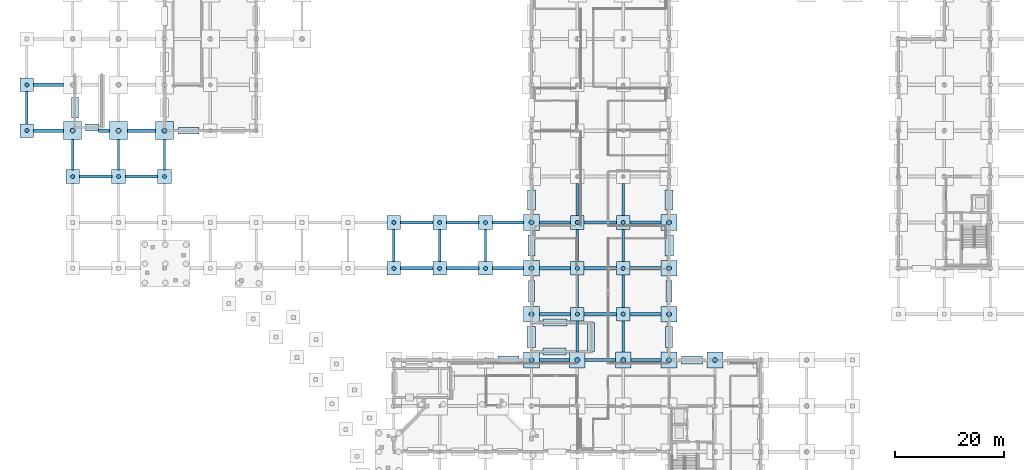
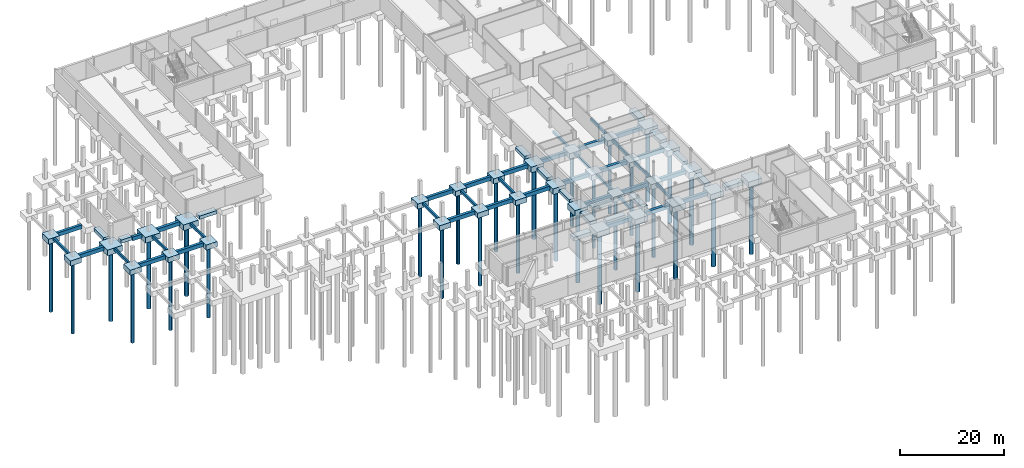
# One storey, part 3 of 43: 86 footings, 31 piles.
"""IFC4 building model written with IfcOpenShell, lengths in metres."""

from ifc_helpers import new_model, si_unit, direction, frame, origin, origin_2d, place, context, subcontext, project, spatial, rectangle, circle, extrude, material, layer, layer_set, material_profile, profile_set, type_object, element, save


model = new_model("IFC4")

# Units and contexts
model_context = context("Model", 3, precision=1e-05, world=origin(), true_north=direction((0.0, 1.0)))
body_context = subcontext(model_context, "Body", "Model", "MODEL_VIEW")
ifc_project = project(units=[si_unit("LENGTHUNIT", "METRE"), si_unit("AREAUNIT", "SQUARE_METRE"), si_unit("VOLUMEUNIT", "CUBIC_METRE"), si_unit("PLANEANGLEUNIT", "RADIAN"), si_unit("MASSUNIT", "GRAM", prefix="KILO")], contexts=[model_context])

# Site, building, storey
site_placement = place(None, origin())
site = spatial("IfcSite", under=ifc_project, at=site_placement, CompositionType="ELEMENT")
building_placement = place(site_placement, origin())
building = spatial("IfcBuilding", under=site, at=building_placement, Name="Mersafa Astral City Hall", CompositionType="ELEMENT")
storey_placement = place(building_placement, frame((0.0, 0.0, -4.5)))
storey = spatial("IfcBuildingStorey", under=building, at=storey_placement, Name="B1", CompositionType="ELEMENT", Elevation=-4.5)

# Footings
ifc_material = material(Name="Concrete C40/50", Category="concrete")
ifc_layer_1 = layer(ifc_material, 1.199951171875, Name="Concrete C40/50")
ifc_layer_set_1 = layer_set([ifc_layer_1], Name="Concrete C40/50 — STR-FTG-PC-2-250X250X1200")
footing_type_1 = type_object("IfcFootingType", Name="STR-FTG-PC-2-250X250X1200", PredefinedType="PILE_CAP", material=ifc_layer_set_1)
for number, where, z_axis, x_axis, name in (
    (1, (100.800048828125, 42.0, -1.2001953125), (0.0, 0.0, 1.0), (1.0, 0.0, 0.0), "Reinforced concrete pile cap 69"),
    (2, (109.199951171875, 42.0, -1.2001953125), (0.0, 0.0, 1.0), (1.0, 0.0, 0.0), "Reinforced concrete pile cap 70"),
    (3, (67.199951171875, 50.39990234375, -1.2001953125), (0.0, 0.0, 1.0), (1.0, 0.0, 0.0), "Reinforced concrete pile cap 89"),
    (4, (75.60009765625, 50.39990234375, -1.2001953125), (0.0, 0.0, 1.0), (1.0, 0.0, 0.0), "Reinforced concrete pile cap 90"),
    (5, (84.0, 50.39990234375, -1.2001953125), (0.0, 0.0, 1.0), (1.0, 0.0, 0.0), "Reinforced concrete pile cap 91"),
    (6, (100.800048828125, 50.39990234375, -1.2001953125), (0.0, 0.0, 1.0), (1.0, 0.0, 0.0), "Reinforced concrete pile cap 92"),
    (7, (109.199951171875, 50.39990234375, -1.2001953125), (0.0, 0.0, 1.0), (1.0, 0.0, 0.0), "Reinforced concrete pile cap 93"),
    (8, (67.199951171875, 58.800048828125, -1.2001953125), (0.0, 0.0, 1.0), (1.0, 0.0, 0.0), "Reinforced concrete pile cap 107"),
    (9, (75.60009765625, 58.800048828125, -1.2001953125), (0.0, 0.0, 1.0), (1.0, 0.0, 0.0), "Reinforced concrete pile cap 108"),
    (10, (84.0, 58.800048828125, -1.2001953125), (0.0, 0.0, 1.0), (1.0, 0.0, 0.0), "Reinforced concrete pile cap 109"),
    (11, (100.800048828125, 58.800048828125, -1.2001953125), (0.0, 0.0, 1.0), (1.0, 0.0, 0.0), "Reinforced concrete pile cap 110"),
    (12, (109.199951171875, 58.800048828125, -1.2001953125), (0.0, 0.0, 1.0), (1.0, 0.0, 0.0), "Reinforced concrete pile cap 111"),
    (13, (8.39990234375, 67.199951171875, -1.2001953125), (0.0, 0.0, 1.0), (1.0, 0.0, 0.0), "Reinforced concrete pile cap 118"),
    (14, (16.800048828125, 67.199951171875, -1.2001953125), (0.0, 0.0, 1.0), (1.0, 0.0, 0.0), "Reinforced concrete pile cap 119"),
    (15, (25.199951171875, 67.199951171875, -1.2001953125), (0.0, 0.0, 1.0), (1.0, 0.0, 0.0), "Reinforced concrete pile cap 120"),
    (16, (0.0, 75.60009765625, -1.2001953125), (0.0, 0.0, 1.0), (1.0, 0.0, 0.0), "Reinforced concrete pile cap 132"),
    (17, (0.0, 84.0, -1.2001953125), (0.0, 0.0, 1.0), (1.0, 0.0, 0.0), "Reinforced concrete pile cap 146"),
):
    element("IfcFooting", number, at=place(storey_placement, frame(where, z_axis=z_axis, x_axis=x_axis)), inside=storey, type_object=footing_type_1, Name=name, PredefinedType="PILE_CAP", context=body_context, shape_type="SweptSolid", body=[
        extrude(rectangle(XDim=2.5, YDim=2.5, at=origin_2d()), origin(), (0.0, 0.0, 1.0), 1.199951171875),
    ])
ifc_layer_2 = layer(ifc_material, 1.35009765625, Name="Concrete C40/50")
ifc_layer_set_2 = layer_set([ifc_layer_2], Name="Concrete C40/50 — STR-FTG-PC-3-290X290X1350")
footing_type_2 = type_object("IfcFootingType", Name="STR-FTG-PC-3-290X290X1350", PredefinedType="PILE_CAP", material=ifc_layer_set_2)
for number, where, z_axis, x_axis, name in (
    (18, (92.39990234375, 33.60009765625, -1.35009765625), (0.0, 0.0, 1.0), (1.0, 0.0, 0.0), "Reinforced concrete pile cap 54"),
    (19, (100.800048828125, 33.60009765625, -1.35009765625), (0.0, 0.0, 1.0), (1.0, 0.0, 0.0), "Reinforced concrete pile cap 55"),
    (20, (109.199951171875, 33.60009765625, -1.35009765625), (0.0, 0.0, 1.0), (1.0, 0.0, 0.0), "Reinforced concrete pile cap 56"),
    (21, (117.60009765625, 33.60009765625, -1.35009765625), (0.0, 0.0, 1.0), (1.0, 0.0, 0.0), "Reinforced concrete pile cap 57"),
    (22, (126.0, 33.60009765625, -1.35009765625), (0.0, 0.0, 1.0), (1.0, 0.0, 0.0), "Reinforced concrete pile cap 58"),
    (23, (92.39990234375, 42.0, -1.35009765625), (0.0, 0.0, 1.0), (1.0, 0.0, 0.0), "Reinforced concrete pile cap 67"),
    (24, (117.60009765625, 42.0, -1.35009765625), (0.0, 0.0, 1.0), (1.0, 0.0, 0.0), "Reinforced concrete pile cap 68"),
    (25, (92.39990234375, 50.39990234375, -1.35009765625), (0.0, 0.0, 1.0), (1.0, 0.0, 0.0), "Reinforced concrete pile cap 82"),
    (26, (117.60009765625, 50.39990234375, -1.35009765625), (0.0, 0.0, 1.0), (1.0, 0.0, 0.0), "Reinforced concrete pile cap 83"),
    (27, (92.39990234375, 58.800048828125, -1.35009765625), (0.0, 0.0, 1.0), (1.0, 0.0, 0.0), "Reinforced concrete pile cap 98"),
    (28, (117.60009765625, 58.800048828125, -1.35009765625), (0.0, 0.0, 1.0), (1.0, 0.0, 0.0), "Reinforced concrete pile cap 99"),
):
    element("IfcFooting", number, at=place(storey_placement, frame(where, z_axis=z_axis, x_axis=x_axis)), inside=storey, type_object=footing_type_2, Name=name, PredefinedType="PILE_CAP", context=body_context, shape_type="SweptSolid", body=[
        extrude(rectangle(XDim=2.89990234375, YDim=2.89990234375, at=origin_2d()), origin(), (0.0, 0.0, 1.0), 1.35009765625),
    ])
ifc_layer_3 = layer(ifc_material, 1.35009765625, Name="Concrete C40/50")
ifc_layer_set_3 = layer_set([ifc_layer_3], Name="Concrete C40/50 — STR-FTG-PC-7-330X330X1350")
footing_type_3 = type_object("IfcFootingType", Name="STR-FTG-PC-7-330X330X1350", PredefinedType="PILE_CAP", material=ifc_layer_set_3)
for number, where, z_axis, x_axis, name in (
    (29, (8.39990234375, 75.60009765625, -1.35009765625), (0.0, 0.0, 1.0), (1.0, 0.0, 0.0), "Reinforced concrete pile cap 124"),
    (30, (16.800048828125, 75.60009765625, -1.35009765625), (0.0, 0.0, 1.0), (1.0, 0.0, 0.0), "Reinforced concrete pile cap 125"),
    (31, (25.199951171875, 75.60009765625, -1.35009765625), (0.0, 0.0, 1.0), (1.0, 0.0, 0.0), "Reinforced concrete pile cap 126"),
):
    element("IfcFooting", number, at=place(storey_placement, frame(where, z_axis=z_axis, x_axis=x_axis)), inside=storey, type_object=footing_type_3, Name=name, PredefinedType="PILE_CAP", context=body_context, shape_type="SweptSolid", body=[
        extrude(rectangle(XDim=3.300048828125, YDim=3.300048828125, at=origin_2d()), origin(), (0.0, 0.0, 1.0), 1.35009765625),
    ])
ifc_layer_4 = layer(ifc_material, 0.75, Name="Concrete C40/50")
ifc_layer_set_4 = layer_set([ifc_layer_4], Name="Concrete C40/50 — STR-FTG-STRIP-1")
footing_type_4 = type_object("IfcFootingType", Name="STR-FTG-STRIP-1", PredefinedType="STRIP_FOOTING", material=ifc_layer_set_4)
for number, where, z_axis, x_axis, name in (
    (32, (92.39990234375, 46.199951171875, -0.75), (0.0, 0.0, 1.0), (0.0, 1.0, 0.0), "Retaining wall strip footing 4"),
    (33, (117.60009765625, 46.199951171875, -0.75), (0.0, 0.0, 1.0), (0.0, -1.0, 0.0), "Retaining wall strip footing 84"),
):
    element("IfcFooting", number, at=place(storey_placement, frame(where, z_axis=z_axis, x_axis=x_axis)), inside=storey, type_object=footing_type_4, Name=name, PredefinedType="STRIP_FOOTING", context=body_context, shape_type="SweptSolid", body=[
        extrude(rectangle(XDim=3.860107421875, YDim=1.10009765625, at=origin_2d()), origin(), (0.0, 0.0, 1.0), 0.75),
    ])
ifc_layer_5 = layer(ifc_material, 0.800048828125, Name="Concrete C40/50")
ifc_layer_set_5 = layer_set([ifc_layer_5], Name="Concrete C40/50 — STR-FTG-STRIP-2")
footing_type_5 = type_object("IfcFootingType", Name="STR-FTG-STRIP-2", PredefinedType="STRIP_FOOTING", material=ifc_layer_set_5)
for number, where, z_axis, x_axis, name in (
    (34, (92.39990234375, 54.60009765625, -0.7998046875), (0.0, 0.0, 1.0), (0.0, 1.0, 0.0), "Retaining wall strip footing 5"),
    (35, (29.60009765625, 75.60009765625, -0.7998046875), (0.0, 0.0, 1.0), (-1.0, 0.0, 0.0), "Retaining wall strip footing 25"),
    (36, (117.60009765625, 37.800048828125, -0.7998046875), (0.0, 0.0, 1.0), (0.0, -1.0, 0.0), "Retaining wall strip footing 85"),
):
    element("IfcFooting", number, at=place(storey_placement, frame(where, z_axis=z_axis, x_axis=x_axis)), inside=storey, type_object=footing_type_5, Name=name, PredefinedType="STRIP_FOOTING", context=body_context, shape_type="SweptSolid", body=[
        extrude(rectangle(XDim=3.860107421875, YDim=1.25, at=origin_2d()), origin(), (0.0, 0.0, 1.0), 0.800048828125),
    ])
footing_1_placement = place(storey_placement, frame((11.89501953125, 76.175048828125, -0.7998046875), z_axis=(0.0, 0.0, 1.0), x_axis=(1.0, 0.0, 0.0)))
element("IfcFooting", 37, at=footing_1_placement, inside=storey, type_object=footing_type_5, Name="Stair shaft K6 foundation strip footing 102", PredefinedType="STRIP_FOOTING", context=body_context, shape_type="SweptSolid", body=[
    extrude(rectangle(XDim=2.389892578125, YDim=1.25, at=origin_2d()), origin(), (0.0, 0.0, 1.0), 0.800048828125),
])
footing_2_placement = place(storey_placement, frame((8.804931640625, 79.800048828125, -0.7998046875), z_axis=(0.0, 0.0, 1.0), x_axis=(0.0, 1.0, 0.0)))
element("IfcFooting", 38, at=footing_2_placement, inside=storey, type_object=footing_type_5, Name="Stair shaft K6 foundation strip footing 103", PredefinedType="STRIP_FOOTING", context=body_context, shape_type="SweptSolid", body=[
    extrude(rectangle(XDim=3.800048828125, YDim=1.25, at=origin_2d()), origin(), (0.0, 0.0, 1.0), 0.800048828125),
])
footing_3_placement = place(storey_placement, frame((96.60009765625, 35.14501953125, -0.7998046875), z_axis=(0.0, 0.0, 1.0), x_axis=(1.0, 0.0, 0.0)))
element("IfcFooting", 39, at=footing_3_placement, inside=storey, type_object=footing_type_5, Name="Stair shaft K8 foundation strip footing 108", PredefinedType="STRIP_FOOTING", context=body_context, shape_type="SweptSolid", body=[
    extrude(rectangle(XDim=4.199951171875, YDim=1.25, at=origin_2d()), origin(), (0.0, 0.0, 1.0), 0.800048828125),
])
footing_4_placement = place(storey_placement, frame((103.324951171875, 37.800048828125, -0.7998046875), z_axis=(0.0, 0.0, 1.0), x_axis=(0.0, 1.0, 0.0)))
element("IfcFooting", 40, at=footing_4_placement, inside=storey, type_object=footing_type_5, Name="Stair shaft K8 foundation strip footing 109", PredefinedType="STRIP_FOOTING", context=body_context, shape_type="SweptSolid", body=[
    extrude(rectangle(XDim=5.31005859375, YDim=1.25, at=origin_2d()), origin(), (0.0, 0.0, 1.0), 0.800048828125),
])
footing_5_placement = place(storey_placement, frame((96.699951171875, 40.455078125, -0.7998046875), z_axis=(0.0, 0.0, 1.0), x_axis=(1.0, 0.0, 0.0)))
element("IfcFooting", 41, at=footing_5_placement, inside=storey, type_object=footing_type_5, Name="Stair shaft K8 foundation strip footing 110", PredefinedType="STRIP_FOOTING", context=body_context, shape_type="SweptSolid", body=[
    extrude(rectangle(XDim=4.39990234375, YDim=1.25, at=origin_2d()), origin(), (0.0, 0.0, 1.0), 0.800048828125),
])
ifc_layer_6 = layer(ifc_material, 0.85009765625, Name="Concrete C40/50")
ifc_layer_set_6 = layer_set([ifc_layer_6], Name="Concrete C40/50 — STR-FTG-STRIP-3")
footing_type_6 = type_object("IfcFootingType", Name="STR-FTG-STRIP-3", PredefinedType="STRIP_FOOTING", material=ifc_layer_set_6)
footing_6_placement = place(storey_placement, frame((88.199951171875, 33.60009765625, -0.85009765625), z_axis=(0.0, 0.0, 1.0), x_axis=(1.0, 0.0, 0.0)))
element("IfcFooting", 42, at=footing_6_placement, inside=storey, type_object=footing_type_6, Name="Retaining wall strip footing 2", PredefinedType="STRIP_FOOTING", context=body_context, shape_type="SweptSolid", body=[
    extrude(rectangle(XDim=3.860107421875, YDim=1.39990234375, at=origin_2d()), origin(), (0.0, 0.0, 1.0), 0.85009765625),
])
for number, where, z_axis, x_axis, name in (
    (43, (92.39990234375, 62.89990234375, -0.85009765625), (0.0, 0.0, 1.0), (0.0, 1.0, 0.0), "Retaining wall strip footing 6"),
    (44, (117.60009765625, 62.89990234375, -0.85009765625), (0.0, 0.0, 1.0), (0.0, -1.0, 0.0), "Retaining wall strip footing 82"),
):
    element("IfcFooting", number, at=place(storey_placement, frame(where, z_axis=z_axis, x_axis=x_axis)), inside=storey, type_object=footing_type_6, Name=name, PredefinedType="STRIP_FOOTING", context=body_context, shape_type="SweptSolid", body=[
        extrude(rectangle(XDim=3.659912109375, YDim=1.39990234375, at=origin_2d()), origin(), (0.0, 0.0, 1.0), 0.85009765625),
    ])
footing_7_placement = place(storey_placement, frame((121.800048828125, 33.60009765625, -0.85009765625), z_axis=(0.0, 0.0, 1.0), x_axis=(1.0, 0.0, 0.0)))
element("IfcFooting", 45, at=footing_7_placement, inside=storey, type_object=footing_type_6, Name="Retaining wall strip footing 86", PredefinedType="STRIP_FOOTING", context=body_context, shape_type="SweptSolid", body=[
    extrude(rectangle(XDim=3.860107421875, YDim=1.39990234375, at=origin_2d()), origin(), (0.0, 0.0, 1.0), 0.85009765625),
])
ifc_layer_7 = layer(ifc_material, 0.89990234375, Name="Concrete C40/50")
ifc_layer_set_7 = layer_set([ifc_layer_7], Name="Concrete C40/50 — STR-FTG-STRIP-4")
footing_type_7 = type_object("IfcFootingType", Name="STR-FTG-STRIP-4", PredefinedType="STRIP_FOOTING", material=ifc_layer_set_7)
for number, where, z_axis, x_axis, name in (
    (46, (92.39990234375, 37.800048828125, -0.89990234375), (0.0, 0.0, 1.0), (0.0, 1.0, 0.0), "Retaining wall strip footing 3"),
    (47, (117.60009765625, 54.60009765625, -0.89990234375), (0.0, 0.0, 1.0), (0.0, -1.0, 0.0), "Retaining wall strip footing 83"),
):
    element("IfcFooting", number, at=place(storey_placement, frame(where, z_axis=z_axis, x_axis=x_axis)), inside=storey, type_object=footing_type_7, Name=name, PredefinedType="STRIP_FOOTING", context=body_context, shape_type="SweptSolid", body=[
        extrude(rectangle(XDim=3.860107421875, YDim=1.550048828125, at=origin_2d()), origin(), (0.0, 0.0, 1.0), 0.89990234375),
    ])
ifc_material_profile_1 = material_profile(ifc_material, rectangle(XDim=0.39990234375, YDim=0.60009765625, at=origin_2d()), Name="RC 400x600")
ifc_profile_set_1 = profile_set([ifc_material_profile_1], Name="Concrete C40/50")
footing_type_8 = type_object("IfcFootingType", Name="STR-FTG-TIE-400X600", PredefinedType="FOOTING_BEAM", material=ifc_profile_set_1)
footing_8_placement = place(storey_placement, frame((0.0, 76.847900390625, -0.300048828125), z_axis=(0.0, 1.0, 0.0), x_axis=(-1.0, 0.0, 0.0)))
element("IfcFooting", 48, at=footing_8_placement, inside=storey, type_object=footing_type_8, Name="Reinforced concrete ground tie beam 2", PredefinedType="FOOTING_BEAM", context=body_context, shape_type="SweptSolid", body=[
    extrude(rectangle(XDim=0.39990234375, YDim=0.60009765625, at=origin_2d()), origin(), (0.0, 0.0, 1.0), 5.904052734375),
])
for number, where, z_axis, x_axis, name in (
    (49, (8.39990234375, 68.447998046875, -0.300048828125), (0.0, 1.0, 0.0), (-1.0, 0.0, 0.0), "Reinforced concrete ground tie beam 11"),
    (50, (16.800048828125, 68.447998046875, -0.300048828125), (0.0, 1.0, 0.0), (-1.0, 0.0, 0.0), "Reinforced concrete ground tie beam 23"),
    (51, (25.199951171875, 68.447998046875, -0.300048828125), (0.0, 1.0, 0.0), (-1.0, 0.0, 0.0), "Reinforced concrete ground tie beam 35"),
):
    element("IfcFooting", number, at=place(storey_placement, frame(where, z_axis=z_axis, x_axis=x_axis)), inside=storey, type_object=footing_type_8, Name=name, PredefinedType="FOOTING_BEAM", context=body_context, shape_type="SweptSolid", body=[
        extrude(rectangle(XDim=0.39990234375, YDim=0.60009765625, at=origin_2d()), origin(), (0.0, 0.0, 1.0), 5.50390625),
    ])
for number, where, z_axis, x_axis, name in (
    (52, (67.199951171875, 51.64794921875, -0.300048828125), (0.0, 1.0, 0.0), (-1.0, 0.0, 0.0), "Reinforced concrete ground tie beam 81"),
    (53, (75.60009765625, 51.64794921875, -0.300048828125), (0.0, 1.0, 0.0), (-1.0, 0.0, 0.0), "Reinforced concrete ground tie beam 93"),
    (54, (84.0, 51.64794921875, -0.300048828125), (0.0, 1.0, 0.0), (-1.0, 0.0, 0.0), "Reinforced concrete ground tie beam 103"),
):
    element("IfcFooting", number, at=place(storey_placement, frame(where, z_axis=z_axis, x_axis=x_axis)), inside=storey, type_object=footing_type_8, Name=name, PredefinedType="FOOTING_BEAM", context=body_context, shape_type="SweptSolid", body=[
        extrude(rectangle(XDim=0.39990234375, YDim=0.60009765625, at=origin_2d()), origin(), (0.0, 0.0, 1.0), 5.904052734375),
    ])
footing_9_placement = place(storey_placement, frame((100.800048828125, 35.048095703125, -0.300048828125), z_axis=(0.0, 1.0, 0.0), x_axis=(-1.0, 0.0, 0.0)))
element("IfcFooting", 55, at=footing_9_placement, inside=storey, type_object=footing_type_8, Name="Reinforced concrete ground tie beam 131", PredefinedType="FOOTING_BEAM", context=body_context, shape_type="SweptSolid", body=[
    extrude(rectangle(XDim=0.39990234375, YDim=0.60009765625, at=origin_2d()), origin(), (0.0, 0.0, 1.0), 5.703857421875),
])
for number, where, z_axis, x_axis, name in (
    (56, (100.800048828125, 43.248046875, -0.300048828125), (0.0, 1.0, 0.0), (-1.0, 0.0, 0.0), "Reinforced concrete ground tie beam 133"),
    (57, (100.800048828125, 51.64794921875, -0.300048828125), (0.0, 1.0, 0.0), (-1.0, 0.0, 0.0), "Reinforced concrete ground tie beam 135"),
):
    element("IfcFooting", number, at=place(storey_placement, frame(where, z_axis=z_axis, x_axis=x_axis)), inside=storey, type_object=footing_type_8, Name=name, PredefinedType="FOOTING_BEAM", context=body_context, shape_type="SweptSolid", body=[
        extrude(rectangle(XDim=0.39990234375, YDim=0.60009765625, at=origin_2d()), origin(), (0.0, 0.0, 1.0), 5.904052734375),
    ])
footing_10_placement = place(storey_placement, frame((100.800048828125, 60.048095703125, -0.300048828125), z_axis=(0.0, 1.0, 0.0), x_axis=(-1.0, 0.0, 0.0)))
element("IfcFooting", 58, at=footing_10_placement, inside=storey, type_object=footing_type_8, Name="Reinforced concrete ground tie beam 137", PredefinedType="FOOTING_BEAM", context=body_context, shape_type="SweptSolid", body=[
    extrude(rectangle(XDim=0.39990234375, YDim=0.60009765625, at=origin_2d()), origin(), (0.0, 0.0, 1.0), 5.90380859375),
])
footing_11_placement = place(storey_placement, frame((109.199951171875, 35.048095703125, -0.300048828125), z_axis=(0.0, 1.0, 0.0), x_axis=(-1.0, 0.0, 0.0)))
element("IfcFooting", 59, at=footing_11_placement, inside=storey, type_object=footing_type_8, Name="Reinforced concrete ground tie beam 160", PredefinedType="FOOTING_BEAM", context=body_context, shape_type="SweptSolid", body=[
    extrude(rectangle(XDim=0.39990234375, YDim=0.60009765625, at=origin_2d()), origin(), (0.0, 0.0, 1.0), 5.703857421875),
])
for number, where, z_axis, x_axis, name in (
    (60, (109.199951171875, 43.248046875, -0.300048828125), (0.0, 1.0, 0.0), (-1.0, 0.0, 0.0), "Reinforced concrete ground tie beam 162"),
    (61, (109.199951171875, 51.64794921875, -0.300048828125), (0.0, 1.0, 0.0), (-1.0, 0.0, 0.0), "Reinforced concrete ground tie beam 164"),
):
    element("IfcFooting", number, at=place(storey_placement, frame(where, z_axis=z_axis, x_axis=x_axis)), inside=storey, type_object=footing_type_8, Name=name, PredefinedType="FOOTING_BEAM", context=body_context, shape_type="SweptSolid", body=[
        extrude(rectangle(XDim=0.39990234375, YDim=0.60009765625, at=origin_2d()), origin(), (0.0, 0.0, 1.0), 5.904052734375),
    ])
footing_12_placement = place(storey_placement, frame((109.199951171875, 60.048095703125, -0.300048828125), z_axis=(0.0, 1.0, 0.0), x_axis=(-1.0, 0.0, 0.0)))
element("IfcFooting", 62, at=footing_12_placement, inside=storey, type_object=footing_type_8, Name="Reinforced concrete ground tie beam 166", PredefinedType="FOOTING_BEAM", context=body_context, shape_type="SweptSolid", body=[
    extrude(rectangle(XDim=0.39990234375, YDim=0.60009765625, at=origin_2d()), origin(), (0.0, 0.0, 1.0), 5.90380859375),
])
ifc_material_profile_2 = material_profile(ifc_material, rectangle(XDim=0.60009765625, YDim=0.89990234375, at=origin_2d()), Name="RC 600x900")
ifc_profile_set_2 = profile_set([ifc_material_profile_2], Name="Concrete C40/50")
footing_type_9 = type_object("IfcFootingType", Name="STR-FTG-TIE-600X900", PredefinedType="FOOTING_BEAM", material=ifc_profile_set_2)
for number, where, z_axis, x_axis, name in (
    (63, (1.248046875, 75.60009765625, -0.449951171875), (1.0, 0.0, 0.0), (0.0, 1.0, 0.0), "Reinforced concrete ground tie beam 1"),
    (64, (1.248046875, 84.0, -0.449951171875), (1.0, 0.0, 0.0), (0.0, 1.0, 0.0), "Reinforced concrete ground tie beam 3"),
):
    element("IfcFooting", number, at=place(storey_placement, frame(where, z_axis=z_axis, x_axis=x_axis)), inside=storey, type_object=footing_type_9, Name=name, PredefinedType="FOOTING_BEAM", context=body_context, shape_type="SweptSolid", body=[
        extrude(rectangle(XDim=0.60009765625, YDim=0.89990234375, at=origin_2d()), origin(), (0.0, 0.0, 1.0), 5.50390625),
    ])
footing_13_placement = place(storey_placement, frame((9.64794921875, 67.199951171875, -0.449951171875), z_axis=(1.0, 0.0, 0.0), x_axis=(0.0, 1.0, 0.0)))
element("IfcFooting", 65, at=footing_13_placement, inside=storey, type_object=footing_type_9, Name="Reinforced concrete ground tie beam 10", PredefinedType="FOOTING_BEAM", context=body_context, shape_type="SweptSolid", body=[
    extrude(rectangle(XDim=0.60009765625, YDim=0.89990234375, at=origin_2d()), origin(), (0.0, 0.0, 1.0), 5.904052734375),
])
footing_14_placement = place(storey_placement, frame((13.090087890625, 75.60009765625, -0.449951171875), z_axis=(1.0, 0.0, 0.0), x_axis=(0.0, 1.0, 0.0)))
element("IfcFooting", 66, at=footing_14_placement, inside=storey, type_object=footing_type_9, Name="Reinforced concrete ground tie beam 12", PredefinedType="FOOTING_BEAM", context=body_context, shape_type="SweptSolid", body=[
    extrude(rectangle(XDim=0.60009765625, YDim=0.89990234375, at=origin_2d()), origin(), (0.0, 0.0, 1.0), 2.06201171875),
])
footing_15_placement = place(storey_placement, frame((18.048095703125, 67.199951171875, -0.449951171875), z_axis=(1.0, 0.0, 0.0), x_axis=(0.0, 1.0, 0.0)))
element("IfcFooting", 67, at=footing_15_placement, inside=storey, type_object=footing_type_9, Name="Reinforced concrete ground tie beam 22", PredefinedType="FOOTING_BEAM", context=body_context, shape_type="SweptSolid", body=[
    extrude(rectangle(XDim=0.60009765625, YDim=0.89990234375, at=origin_2d()), origin(), (0.0, 0.0, 1.0), 5.90380859375),
])
footing_16_placement = place(storey_placement, frame((18.447998046875, 75.60009765625, -0.449951171875), z_axis=(1.0, 0.0, 0.0), x_axis=(0.0, 1.0, 0.0)))
element("IfcFooting", 68, at=footing_16_placement, inside=storey, type_object=footing_type_9, Name="Reinforced concrete ground tie beam 24", PredefinedType="FOOTING_BEAM", context=body_context, shape_type="SweptSolid", body=[
    extrude(rectangle(XDim=0.60009765625, YDim=0.89990234375, at=origin_2d()), origin(), (0.0, 0.0, 1.0), 5.10400390625),
])
for number, where, z_axis, x_axis, name in (
    (69, (68.447998046875, 50.39990234375, -0.449951171875), (1.0, 0.0, 0.0), (0.0, 1.0, 0.0), "Reinforced concrete ground tie beam 80"),
    (70, (68.447998046875, 58.800048828125, -0.449951171875), (1.0, 0.0, 0.0), (0.0, 1.0, 0.0), "Reinforced concrete ground tie beam 82"),
    (71, (76.847900390625, 50.39990234375, -0.449951171875), (1.0, 0.0, 0.0), (0.0, 1.0, 0.0), "Reinforced concrete ground tie beam 92"),
    (72, (76.847900390625, 58.800048828125, -0.449951171875), (1.0, 0.0, 0.0), (0.0, 1.0, 0.0), "Reinforced concrete ground tie beam 94"),
):
    element("IfcFooting", number, at=place(storey_placement, frame(where, z_axis=z_axis, x_axis=x_axis)), inside=storey, type_object=footing_type_9, Name=name, PredefinedType="FOOTING_BEAM", context=body_context, shape_type="SweptSolid", body=[
        extrude(rectangle(XDim=0.60009765625, YDim=0.89990234375, at=origin_2d()), origin(), (0.0, 0.0, 1.0), 5.904052734375),
    ])
for number, where, z_axis, x_axis, name in (
    (73, (85.248046875, 50.39990234375, -0.449951171875), (1.0, 0.0, 0.0), (0.0, 1.0, 0.0), "Reinforced concrete ground tie beam 102"),
    (74, (85.248046875, 58.800048828125, -0.449951171875), (1.0, 0.0, 0.0), (0.0, 1.0, 0.0), "Reinforced concrete ground tie beam 104"),
):
    element("IfcFooting", number, at=place(storey_placement, frame(where, z_axis=z_axis, x_axis=x_axis)), inside=storey, type_object=footing_type_9, Name=name, PredefinedType="FOOTING_BEAM", context=body_context, shape_type="SweptSolid", body=[
        extrude(rectangle(XDim=0.60009765625, YDim=0.89990234375, at=origin_2d()), origin(), (0.0, 0.0, 1.0), 5.703857421875),
    ])
footing_17_placement = place(storey_placement, frame((93.847900390625, 33.60009765625, -0.449951171875), z_axis=(1.0, 0.0, 0.0), x_axis=(0.0, 1.0, 0.0)))
element("IfcFooting", 75, at=footing_17_placement, inside=storey, type_object=footing_type_9, Name="Reinforced concrete ground tie beam 111", PredefinedType="FOOTING_BEAM", context=body_context, shape_type="SweptSolid", body=[
    extrude(rectangle(XDim=0.60009765625, YDim=0.89990234375, at=origin_2d()), origin(), (0.0, 0.0, 1.0), 5.504150390625),
])
for number, where, z_axis, x_axis, name in (
    (76, (93.847900390625, 42.0, -0.449951171875), (1.0, 0.0, 0.0), (0.0, 1.0, 0.0), "Reinforced concrete ground tie beam 112"),
    (77, (93.847900390625, 50.39990234375, -0.449951171875), (1.0, 0.0, 0.0), (0.0, 1.0, 0.0), "Reinforced concrete ground tie beam 113"),
    (78, (93.847900390625, 58.800048828125, -0.449951171875), (1.0, 0.0, 0.0), (0.0, 1.0, 0.0), "Reinforced concrete ground tie beam 114"),
):
    element("IfcFooting", number, at=place(storey_placement, frame(where, z_axis=z_axis, x_axis=x_axis)), inside=storey, type_object=footing_type_9, Name=name, PredefinedType="FOOTING_BEAM", context=body_context, shape_type="SweptSolid", body=[
        extrude(rectangle(XDim=0.60009765625, YDim=0.89990234375, at=origin_2d()), origin(), (0.0, 0.0, 1.0), 5.7041015625),
    ])
footing_18_placement = place(storey_placement, frame((102.248046875, 33.60009765625, -0.449951171875), z_axis=(1.0, 0.0, 0.0), x_axis=(0.0, 1.0, 0.0)))
element("IfcFooting", 79, at=footing_18_placement, inside=storey, type_object=footing_type_9, Name="Reinforced concrete ground tie beam 130", PredefinedType="FOOTING_BEAM", context=body_context, shape_type="SweptSolid", body=[
    extrude(rectangle(XDim=0.60009765625, YDim=0.89990234375, at=origin_2d()), origin(), (0.0, 0.0, 1.0), 5.50390625),
])
for number, where, z_axis, x_axis, name in (
    (80, (102.048095703125, 42.0, -0.449951171875), (1.0, 0.0, 0.0), (0.0, 1.0, 0.0), "Reinforced concrete ground tie beam 132"),
    (81, (102.048095703125, 50.39990234375, -0.449951171875), (1.0, 0.0, 0.0), (0.0, 1.0, 0.0), "Reinforced concrete ground tie beam 134"),
    (82, (102.048095703125, 58.800048828125, -0.449951171875), (1.0, 0.0, 0.0), (0.0, 1.0, 0.0), "Reinforced concrete ground tie beam 136"),
):
    element("IfcFooting", number, at=place(storey_placement, frame(where, z_axis=z_axis, x_axis=x_axis)), inside=storey, type_object=footing_type_9, Name=name, PredefinedType="FOOTING_BEAM", context=body_context, shape_type="SweptSolid", body=[
        extrude(rectangle(XDim=0.60009765625, YDim=0.89990234375, at=origin_2d()), origin(), (0.0, 0.0, 1.0), 5.90380859375),
    ])
footing_19_placement = place(storey_placement, frame((110.64794921875, 33.60009765625, -0.449951171875), z_axis=(1.0, 0.0, 0.0), x_axis=(0.0, 1.0, 0.0)))
element("IfcFooting", 83, at=footing_19_placement, inside=storey, type_object=footing_type_9, Name="Reinforced concrete ground tie beam 159", PredefinedType="FOOTING_BEAM", context=body_context, shape_type="SweptSolid", body=[
    extrude(rectangle(XDim=0.60009765625, YDim=0.89990234375, at=origin_2d()), origin(), (0.0, 0.0, 1.0), 5.504150390625),
])
for number, where, z_axis, x_axis, name in (
    (84, (110.447998046875, 42.0, -0.449951171875), (1.0, 0.0, 0.0), (0.0, 1.0, 0.0), "Reinforced concrete ground tie beam 161"),
    (85, (110.447998046875, 50.39990234375, -0.449951171875), (1.0, 0.0, 0.0), (0.0, 1.0, 0.0), "Reinforced concrete ground tie beam 163"),
    (86, (110.447998046875, 58.800048828125, -0.449951171875), (1.0, 0.0, 0.0), (0.0, 1.0, 0.0), "Reinforced concrete ground tie beam 165"),
):
    element("IfcFooting", number, at=place(storey_placement, frame(where, z_axis=z_axis, x_axis=x_axis)), inside=storey, type_object=footing_type_9, Name=name, PredefinedType="FOOTING_BEAM", context=body_context, shape_type="SweptSolid", body=[
        extrude(rectangle(XDim=0.60009765625, YDim=0.89990234375, at=origin_2d()), origin(), (0.0, 0.0, 1.0), 5.7041015625),
    ])

# Piles
ifc_material_profile_3 = material_profile(ifc_material, circle(Radius=0.375, at=origin_2d()), Name="PILE D750")
ifc_profile_set_3 = profile_set([ifc_material_profile_3], Name="Concrete C40/50")
pile_type_1 = type_object("IfcPileType", Name="STR-PILE-D750", PredefinedType="BORED", material=ifc_profile_set_3)
for number, where, z_axis, x_axis, name in (
    (87, (100.800048828125, 42.0, -1.050048828125), (0.0, 0.0, -1.0), (1.0, 0.0, 0.0), "Bored concrete pile 81"),
    (88, (109.199951171875, 42.0, -1.050048828125), (0.0, 0.0, -1.0), (1.0, 0.0, 0.0), "Bored concrete pile 82"),
    (89, (67.199951171875, 50.39990234375, -1.050048828125), (0.0, 0.0, -1.0), (1.0, 0.0, 0.0), "Bored concrete pile 112"),
    (90, (75.60009765625, 50.39990234375, -1.050048828125), (0.0, 0.0, -1.0), (1.0, 0.0, 0.0), "Bored concrete pile 113"),
    (91, (84.0, 50.39990234375, -1.050048828125), (0.0, 0.0, -1.0), (1.0, 0.0, 0.0), "Bored concrete pile 114"),
    (92, (100.800048828125, 50.39990234375, -1.050048828125), (0.0, 0.0, -1.0), (1.0, 0.0, 0.0), "Bored concrete pile 115"),
    (93, (109.199951171875, 50.39990234375, -1.050048828125), (0.0, 0.0, -1.0), (1.0, 0.0, 0.0), "Bored concrete pile 116"),
    (94, (67.199951171875, 58.800048828125, -1.050048828125), (0.0, 0.0, -1.0), (1.0, 0.0, 0.0), "Bored concrete pile 130"),
    (95, (75.60009765625, 58.800048828125, -1.050048828125), (0.0, 0.0, -1.0), (1.0, 0.0, 0.0), "Bored concrete pile 131"),
    (96, (84.0, 58.800048828125, -1.050048828125), (0.0, 0.0, -1.0), (1.0, 0.0, 0.0), "Bored concrete pile 132"),
    (97, (100.800048828125, 58.800048828125, -1.050048828125), (0.0, 0.0, -1.0), (1.0, 0.0, 0.0), "Bored concrete pile 133"),
    (98, (109.199951171875, 58.800048828125, -1.050048828125), (0.0, 0.0, -1.0), (1.0, 0.0, 0.0), "Bored concrete pile 134"),
    (99, (8.39990234375, 67.199951171875, -1.050048828125), (0.0, 0.0, -1.0), (1.0, 0.0, 0.0), "Bored concrete pile 141"),
    (100, (16.800048828125, 67.199951171875, -1.050048828125), (0.0, 0.0, -1.0), (1.0, 0.0, 0.0), "Bored concrete pile 142"),
    (101, (25.199951171875, 67.199951171875, -1.050048828125), (0.0, 0.0, -1.0), (1.0, 0.0, 0.0), "Bored concrete pile 143"),
    (102, (0.0, 75.60009765625, -1.050048828125), (0.0, 0.0, -1.0), (1.0, 0.0, 0.0), "Bored concrete pile 155"),
    (103, (0.0, 84.0, -1.050048828125), (0.0, 0.0, -1.0), (1.0, 0.0, 0.0), "Bored concrete pile 169"),
):
    element("IfcPile", number, at=place(storey_placement, frame(where, z_axis=z_axis, x_axis=x_axis)), inside=storey, type_object=pile_type_1, Name=name, PredefinedType="BORED", context=body_context, shape_type="SweptSolid", body=[
        extrude(circle(Radius=0.375, at=origin_2d()), origin(), (0.0, 0.0, 1.0), 16.949951171875),
    ])
ifc_material_profile_4 = material_profile(ifc_material, circle(Radius=0.449951171875, at=origin_2d()), Name="PILE D900")
ifc_profile_set_4 = profile_set([ifc_material_profile_4], Name="Concrete C40/50")
pile_type_2 = type_object("IfcPileType", Name="STR-PILE-D900", PredefinedType="BORED", material=ifc_profile_set_4)
for number, where, z_axis, x_axis, name in (
    (104, (92.39990234375, 33.60009765625, -1.199951171875), (0.0, 0.0, -1.0), (1.0, 0.0, 0.0), "Bored concrete pile 66"),
    (105, (100.800048828125, 33.60009765625, -1.199951171875), (0.0, 0.0, -1.0), (1.0, 0.0, 0.0), "Bored concrete pile 67"),
    (106, (109.199951171875, 33.60009765625, -1.199951171875), (0.0, 0.0, -1.0), (1.0, 0.0, 0.0), "Bored concrete pile 68"),
    (107, (117.60009765625, 33.60009765625, -1.199951171875), (0.0, 0.0, -1.0), (1.0, 0.0, 0.0), "Bored concrete pile 69"),
    (108, (126.0, 33.60009765625, -1.199951171875), (0.0, 0.0, -1.0), (1.0, 0.0, 0.0), "Bored concrete pile 70"),
    (109, (92.39990234375, 42.0, -1.199951171875), (0.0, 0.0, -1.0), (1.0, 0.0, 0.0), "Bored concrete pile 79"),
    (110, (117.60009765625, 42.0, -1.199951171875), (0.0, 0.0, -1.0), (1.0, 0.0, 0.0), "Bored concrete pile 80"),
    (111, (92.39990234375, 50.39990234375, -1.199951171875), (0.0, 0.0, -1.0), (1.0, 0.0, 0.0), "Bored concrete pile 105"),
    (112, (117.60009765625, 50.39990234375, -1.199951171875), (0.0, 0.0, -1.0), (1.0, 0.0, 0.0), "Bored concrete pile 106"),
    (113, (92.39990234375, 58.800048828125, -1.199951171875), (0.0, 0.0, -1.0), (1.0, 0.0, 0.0), "Bored concrete pile 121"),
    (114, (117.60009765625, 58.800048828125, -1.199951171875), (0.0, 0.0, -1.0), (1.0, 0.0, 0.0), "Bored concrete pile 122"),
    (115, (8.39990234375, 75.60009765625, -1.199951171875), (0.0, 0.0, -1.0), (1.0, 0.0, 0.0), "Bored concrete pile 147"),
    (116, (16.800048828125, 75.60009765625, -1.199951171875), (0.0, 0.0, -1.0), (1.0, 0.0, 0.0), "Bored concrete pile 148"),
    (117, (25.199951171875, 75.60009765625, -1.199951171875), (0.0, 0.0, -1.0), (1.0, 0.0, 0.0), "Bored concrete pile 149"),
):
    element("IfcPile", number, at=place(storey_placement, frame(where, z_axis=z_axis, x_axis=x_axis)), inside=storey, type_object=pile_type_2, Name=name, PredefinedType="BORED", context=body_context, shape_type="SweptSolid", body=[
        extrude(circle(Radius=0.449951171875, at=origin_2d()), origin(), (0.0, 0.0, 1.0), 16.800048828125),
    ])

save(model, "model.ifc")
